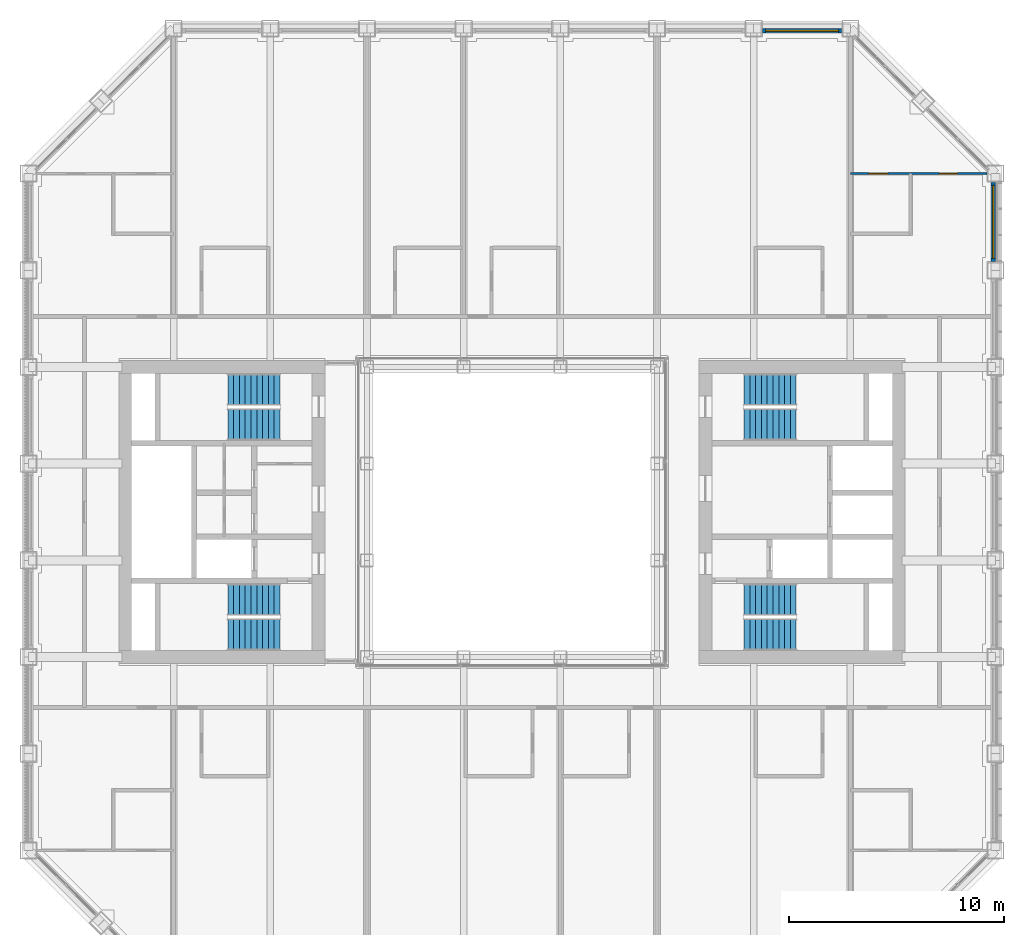
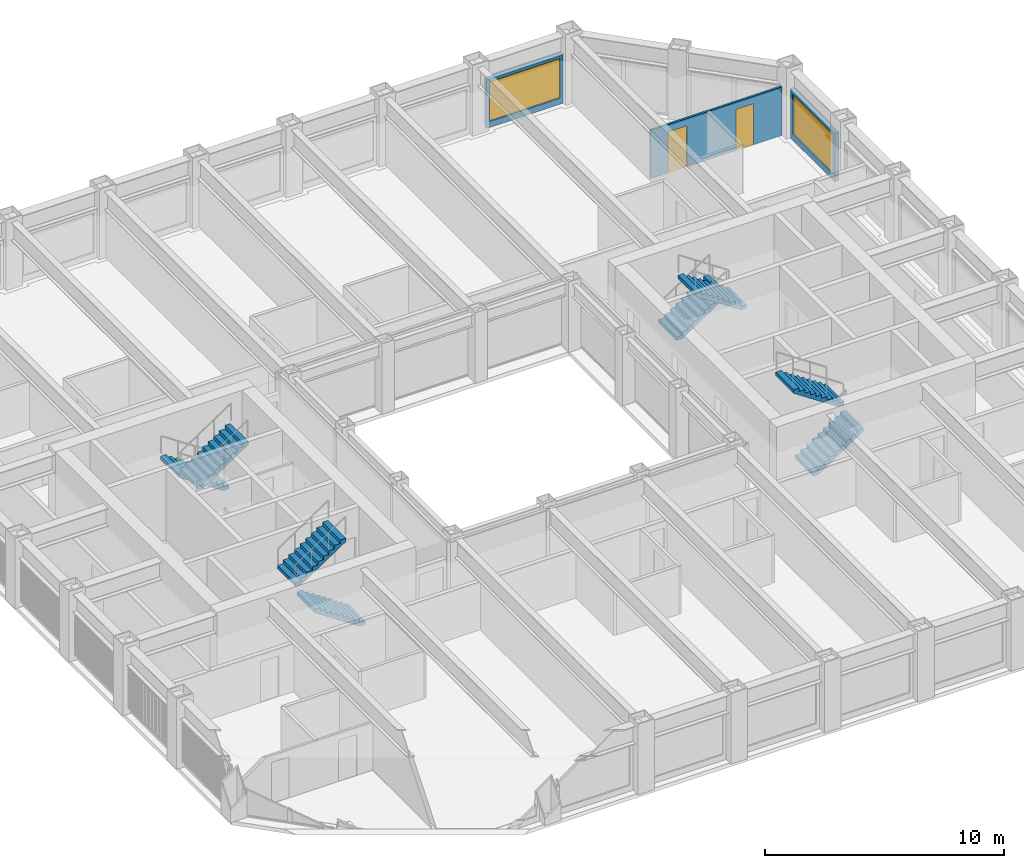
# One storey, part 14 of 17: 8 stair flights, 3 walls, 2 doors, 2 windows, 4 openings, 4 elements without a shape of their own.
"""IFC4 building model written with IfcOpenShell, lengths in metres."""

from ifc_helpers import new_model, si_unit, direction, frame, frame_2d, origin, place, context, subcontext, project, spatial, polyline, rectangle, outline, extrude, material, layer, layer_set, type_object, element, fill, aggregate, save


model = new_model("IFC4")

# Units and contexts
model_context = context("Model", 3, precision=1e-05, world=origin(), true_north=direction((0.0, 1.0)))
body_context = subcontext(model_context, "Body", "Model", "MODEL_VIEW")
ifc_project = project(units=[si_unit("LENGTHUNIT", "METRE"), si_unit("AREAUNIT", "SQUARE_METRE"), si_unit("VOLUMEUNIT", "CUBIC_METRE"), si_unit("PLANEANGLEUNIT", "RADIAN"), si_unit("MASSUNIT", "GRAM", prefix="KILO")], contexts=[model_context])

# Site, building, storey
site_placement = place(None, origin())
site = spatial("IfcSite", under=ifc_project, at=site_placement, CompositionType="ELEMENT")
building_placement = place(site_placement, origin())
building = spatial("IfcBuilding", under=site, at=building_placement, Name="Msasa Ring Tower", CompositionType="ELEMENT")
storey_placement = place(building_placement, frame((0.0, 0.0, 161.60009765625)))
storey = spatial("IfcBuildingStorey", under=building, at=storey_placement, Name="L42", CompositionType="ELEMENT", Elevation=161.60009765625)

# Wall, opening, window
ifc_material_1 = material(Name="Terracotta rainscreen on blockwork", Category="masonry")
ifc_layer_1 = layer(ifc_material_1, 0.199951171875)
ifc_layer_set_1 = layer_set([ifc_layer_1], Name="FW1 TERRACOTTA-LINED INFILL BAY WALL 200")
wall_type_1 = type_object("IfcWallType", Name="FW1 TERRACOTTA-LINED INFILL BAY WALL 200", PredefinedType="SOLIDWALL", material=ifc_layer_set_1)
wall_1_placement = place(storey_placement, frame((22.39990234375, 11.655029296875, 0.0), z_axis=(0.0, 0.0, 1.0), x_axis=(0.0, 1.0, 0.0)))
wall_1 = element("IfcWall", 1, at=wall_1_placement, inside=storey, type_object=wall_type_1, Name="Infill bay wall E L42 15", PredefinedType="SOLIDWALL", context=body_context, shape_type="SweptSolid", body=[
    extrude(rectangle(XDim=3.68994140625, YDim=0.199951171875, at=frame_2d((1.844970703125, 0.0))), origin(), (0.0, 0.0, 1.0), 2.47900390625),
])
opening_1_placement = place(wall_1_placement, frame((0.14501953125, 0.0, 0.300048828125)))
opening_1 = element("IfcOpeningElement", 2, at=opening_1_placement, cuts=wall_1, Name="Opening WN2", PredefinedType="OPENING", context=body_context, shape_type="SweptSolid", body=[
    extrude(rectangle(XDim=3.39990234375, YDim=2.029052734375, at=frame_2d((1.699951171875, 1.0146484375))), frame((0.0, 0.10986328125, 0.0), z_axis=(0.0, -1.0, 0.0), x_axis=(1.0, 0.0, 0.0)), (0.0, 0.0, 1.0), 0.219970703125),
])
ifc_material_2 = material(Name="Aluminium frame with clear glass", Category="aluminium")
window_type = type_object("IfcWindowType", Name="WN2 GUEST ROOM WINDOW 3400x2029", PartitioningType="SINGLE_PANEL", PredefinedType="WINDOW", material=ifc_material_2)
window_1_placement = place(opening_1_placement, origin())
window_1 = element("IfcWindow", 3, at=window_1_placement, inside=storey, type_object=window_type, Name="Window E L42 15", OverallHeight=2.029052734375, OverallWidth=3.39990234375, PartitioningType="SINGLE_PANEL", PredefinedType="WINDOW", context=body_context, shape_type="SweptSolid", body=[
    extrude(rectangle(XDim=3.39990234375, YDim=2.029052734375, at=frame_2d((1.699951171875, 1.0146484375))), frame((0.0, 0.030029296875, 0.0), z_axis=(0.0, -1.0, 0.0), x_axis=(1.0, 0.0, 0.0)), (0.0, 0.0, 1.0), 0.06005859375),
])
fill(opening_1, window_1)

wall_2_placement = place(storey_placement, frame((11.655029296875, 22.39990234375, 0.0), z_axis=(0.0, 0.0, 1.0), x_axis=(1.0, 0.0, 0.0)))
wall_2 = element("IfcWall", 4, at=wall_2_placement, inside=storey, type_object=wall_type_1, Name="Infill bay wall N L42 24", PredefinedType="SOLIDWALL", context=body_context, shape_type="SweptSolid", body=[
    extrude(rectangle(XDim=3.68994140625, YDim=0.199951171875, at=frame_2d((1.844970703125, 0.0))), origin(), (0.0, 0.0, 1.0), 2.47900390625),
])
opening_2_placement = place(wall_2_placement, frame((0.14501953125, 0.0, 0.300048828125)))
opening_2 = element("IfcOpeningElement", 5, at=opening_2_placement, cuts=wall_2, Name="Opening WN2", PredefinedType="OPENING", context=body_context, shape_type="SweptSolid", body=[
    extrude(rectangle(XDim=3.39990234375, YDim=2.029052734375, at=frame_2d((1.699951171875, 1.0146484375))), frame((0.0, 0.10986328125, 0.0), z_axis=(0.0, -1.0, 0.0), x_axis=(1.0, 0.0, 0.0)), (0.0, 0.0, 1.0), 0.219970703125),
])
window_2_placement = place(opening_2_placement, origin())
window_2 = element("IfcWindow", 6, at=window_2_placement, inside=storey, type_object=window_type, Name="Window N L42 24", OverallHeight=2.029052734375, OverallWidth=3.39990234375, PartitioningType="SINGLE_PANEL", PredefinedType="WINDOW", context=body_context, shape_type="SweptSolid", body=[
    extrude(rectangle(XDim=3.39990234375, YDim=2.029052734375, at=frame_2d((1.699951171875, 1.0146484375))), frame((0.0, 0.030029296875, 0.0), z_axis=(0.0, -1.0, 0.0), x_axis=(1.0, 0.0, 0.0)), (0.0, 0.0, 1.0), 0.06005859375),
])
fill(opening_2, window_2)

# Wall, openings, doors
ifc_material_3 = material(Name="Gypsum board on steel studs", Category="steel")
ifc_layer_2 = layer(ifc_material_3, 0.10009765625)
ifc_layer_set_2 = layer_set([ifc_layer_2], Name="PT2 STUD PARTITION 100")
wall_type_2 = type_object("IfcWallType", Name="PT2 STUD PARTITION 100", PredefinedType="PARTITIONING", material=ifc_layer_set_2)
wall_3_placement = place(storey_placement, frame((15.75, 15.75, 0.0), z_axis=(0.0, 0.0, 1.0), x_axis=(1.0, 0.0, 0.0)))
wall_3 = element("IfcWall", 7, at=wall_3_placement, inside=storey, type_object=wall_type_2, Name="Partition L42-CSNEX", PredefinedType="PARTITIONING", context=body_context, shape_type="SweptSolid", body=[
    extrude(rectangle(XDim=6.35009765625, YDim=0.10009765625, at=frame_2d((3.175048828125, 0.0))), origin(), (0.0, 0.0, 1.0), 2.473388671875),
])
opening_3_placement = place(wall_3_placement, frame((4.125, 0.0, 0.0)))
opening_3 = element("IfcOpeningElement", 8, at=opening_3_placement, cuts=wall_3, Name="Opening HE-004", PredefinedType="OPENING", context=body_context, shape_type="SweptSolid", body=[
    extrude(rectangle(XDim=0.85009765625, YDim=2.10009765625, at=frame_2d((0.425048828125, 1.050048828125))), frame((0.0, 0.06005859375, 0.0), z_axis=(0.0, -1.0, 0.0), x_axis=(1.0, 0.0, 0.0)), (0.0, 0.0, 1.0), 0.1201171875),
])
opening_4_placement = place(wall_3_placement, frame((0.85009765625, 0.0, 0.0)))
opening_4 = element("IfcOpeningElement", 9, at=opening_4_placement, cuts=wall_3, Name="Opening HE-003", PredefinedType="OPENING", context=body_context, shape_type="SweptSolid", body=[
    extrude(rectangle(XDim=0.89990234375, YDim=2.10009765625, at=frame_2d((0.449951171875, 1.050048828125))), frame((0.0, 0.06005859375, 0.0), z_axis=(0.0, -1.0, 0.0), x_axis=(1.0, 0.0, 0.0)), (0.0, 0.0, 1.0), 0.1201171875),
])
ifc_material_4 = material(Name="Timber door leaf in a steel frame", Category="steel")
door_type_1 = type_object("IfcDoorType", Name="D14 BEDROOM DOOR 850x2100", OperationType="SINGLE_SWING_LEFT", PredefinedType="DOOR", material=ifc_material_4)
door_1_placement = place(opening_3_placement, origin())
door_1 = element("IfcDoor", 10, at=door_1_placement, inside=storey, type_object=door_type_1, Name="Door L42-CSNER1", OperationType="SINGLE_SWING_RIGHT", OverallHeight=2.10009765625, OverallWidth=0.85009765625, PredefinedType="DOOR", context=body_context, shape_type="SweptSolid", body=[
    extrude(rectangle(XDim=0.85009765625, YDim=2.10009765625, at=frame_2d((0.425048828125, 1.050048828125))), frame((0.0, 0.02490234375, 0.0), z_axis=(0.0, -1.0, 0.0), x_axis=(1.0, 0.0, 0.0)), (0.0, 0.0, 1.0), 0.050048828125),
])
fill(opening_3, door_1)
ifc_material_5 = material(Name="Timber door leaf in a steel frame", Category="steel")
door_type_2 = type_object("IfcDoorType", Name="D3 BATHROOM DOOR 900x2100", OperationType="SINGLE_SWING_LEFT", PredefinedType="DOOR", material=ifc_material_5)
door_2_placement = place(opening_4_placement, origin())
door_2 = element("IfcDoor", 11, at=door_2_placement, inside=storey, type_object=door_type_2, Name="Door L42-CSNEB1", OperationType="SINGLE_SWING_LEFT", OverallHeight=2.10009765625, OverallWidth=0.89990234375, PredefinedType="DOOR", context=body_context, shape_type="SweptSolid", body=[
    extrude(rectangle(XDim=0.89990234375, YDim=2.10009765625, at=frame_2d((0.449951171875, 1.050048828125))), frame((0.0, 0.02490234375, 0.0), z_axis=(0.0, -1.0, 0.0), x_axis=(1.0, 0.0, 0.0)), (0.0, 0.0, 1.0), 0.050048828125),
])
fill(opening_4, door_2)

# Stair, stair flights
ifc_material_6 = material(Name="Concrete C40/50", Category="concrete")
stair_type = type_object("IfcStairType", Name="STC CORE STAIR 20 RISERS 180", PredefinedType="HALF_TURN_STAIR", material=ifc_material_6)
stair_1_placement = place(storey_placement, origin())
stair_1 = element("IfcStair", 12, at=stair_1_placement, inside=storey, type_object=stair_type, Name="Core stair SEA L42", PredefinedType="HALF_TURN_STAIR")
ifc_material_7 = material(Name="Concrete C40/50", Category="concrete")
stair_flight_type = type_object("IfcStairFlightType", Name="ST14 CORE STAIR FLIGHT 1500 10 RISERS 180", PredefinedType="STRAIGHT", material=ifc_material_7)
stair_flight_1_placement = place(storey_placement, frame((10.800048828125, -5.699951171875, 0.0), z_axis=(0.0, 0.0, 1.0), x_axis=(1.0, 0.0, 0.0)))
stair_flight_1 = element("IfcStairFlight", 13, at=stair_flight_1_placement, type_object=stair_flight_type, Name="SEA flight 1", NumberOfRisers=10, NumberOfTreads=9, PredefinedType="STRAIGHT", RiserHeight=0.18, TreadLength=0.27, context=body_context, shape_type="SweptSolid", body=[
    extrude(outline(polyline([(0.0, 0.0), (0.0, 0.179931640625), (0.27001953125, 0.179931640625), (0.27001953125, 0.360107421875), (0.5400390625, 0.360107421875), (0.5400390625, 0.5400390625), (0.81005859375, 0.5400390625), (0.81005859375, 0.719970703125), (1.080078125, 0.719970703125), (1.080078125, 0.89990234375), (1.35009765625, 0.89990234375), (1.35009765625, 1.080078125), (1.6201171875, 1.080078125), (1.6201171875, 1.260009765625), (1.889892578125, 1.260009765625), (1.889892578125, 1.43994140625), (2.159912109375, 1.43994140625), (2.159912109375, 1.6201171875), (2.429931640625, 1.6201171875), (2.429931640625, 1.800048828125), (2.429931640625, 1.43994140625), (0.270263671875, 0.0), (0.0, 0.0)])), frame((0.0, 0.75, 0.0), z_axis=(0.0, -1.0, 0.0), x_axis=(1.0, 0.0, 0.0)), (0.0, 0.0, 1.0), 1.5),
])
stair_flight_2_placement = place(storey_placement, frame((13.22998046875, -4.074951171875, 1.7998046875), z_axis=(0.0, 0.0, 1.0), x_axis=(-1.0, 0.0, 0.0)))
stair_flight_2 = element("IfcStairFlight", 14, at=stair_flight_2_placement, type_object=stair_flight_type, Name="SEA flight 2", NumberOfRisers=10, NumberOfTreads=9, PredefinedType="STRAIGHT", RiserHeight=0.18, TreadLength=0.27, context=body_context, shape_type="SweptSolid", body=[
    extrude(outline(polyline([(0.0, 0.0), (0.0, 0.179931640625), (0.27001953125, 0.179931640625), (0.27001953125, 0.360107421875), (0.5400390625, 0.360107421875), (0.5400390625, 0.5400390625), (0.81005859375, 0.5400390625), (0.81005859375, 0.719970703125), (1.080078125, 0.719970703125), (1.080078125, 0.89990234375), (1.35009765625, 0.89990234375), (1.35009765625, 1.080078125), (1.6201171875, 1.080078125), (1.6201171875, 1.260009765625), (1.889892578125, 1.260009765625), (1.889892578125, 1.43994140625), (2.159912109375, 1.43994140625), (2.159912109375, 1.6201171875), (2.429931640625, 1.6201171875), (2.429931640625, 1.800048828125), (2.429931640625, 1.43994140625), (0.270263671875, 0.0), (0.0, 0.0)])), frame((0.0, 0.75, 0.0), z_axis=(0.0, -1.0, 0.0), x_axis=(1.0, 0.0, 0.0)), (0.0, 0.0, 1.0), 1.5),
])
aggregate(stair_1, [stair_flight_1, stair_flight_2])

stair_2_placement = place(storey_placement, origin())
stair_2 = element("IfcStair", 15, at=stair_2_placement, inside=storey, type_object=stair_type, Name="Core stair SEB L42", PredefinedType="HALF_TURN_STAIR")
stair_flight_3_placement = place(storey_placement, frame((10.800048828125, 5.699951171875, 0.0), z_axis=(0.0, 0.0, 1.0), x_axis=(1.0, 0.0, 0.0)))
stair_flight_3 = element("IfcStairFlight", 16, at=stair_flight_3_placement, type_object=stair_flight_type, Name="SEB flight 1", NumberOfRisers=10, NumberOfTreads=9, PredefinedType="STRAIGHT", RiserHeight=0.18, TreadLength=0.27, context=body_context, shape_type="SweptSolid", body=[
    extrude(outline(polyline([(0.0, 0.0), (0.0, 0.179931640625), (0.27001953125, 0.179931640625), (0.27001953125, 0.360107421875), (0.5400390625, 0.360107421875), (0.5400390625, 0.5400390625), (0.81005859375, 0.5400390625), (0.81005859375, 0.719970703125), (1.080078125, 0.719970703125), (1.080078125, 0.89990234375), (1.35009765625, 0.89990234375), (1.35009765625, 1.080078125), (1.6201171875, 1.080078125), (1.6201171875, 1.260009765625), (1.889892578125, 1.260009765625), (1.889892578125, 1.43994140625), (2.159912109375, 1.43994140625), (2.159912109375, 1.6201171875), (2.429931640625, 1.6201171875), (2.429931640625, 1.800048828125), (2.429931640625, 1.43994140625), (0.270263671875, 0.0), (0.0, 0.0)])), frame((0.0, 0.75, 0.0), z_axis=(0.0, -1.0, 0.0), x_axis=(1.0, 0.0, 0.0)), (0.0, 0.0, 1.0), 1.5),
])
stair_flight_4_placement = place(storey_placement, frame((13.22998046875, 4.074951171875, 1.7998046875), z_axis=(0.0, 0.0, 1.0), x_axis=(-1.0, 0.0, 0.0)))
stair_flight_4 = element("IfcStairFlight", 17, at=stair_flight_4_placement, type_object=stair_flight_type, Name="SEB flight 2", NumberOfRisers=10, NumberOfTreads=9, PredefinedType="STRAIGHT", RiserHeight=0.18, TreadLength=0.27, context=body_context, shape_type="SweptSolid", body=[
    extrude(outline(polyline([(0.0, 0.0), (0.0, 0.179931640625), (0.27001953125, 0.179931640625), (0.27001953125, 0.360107421875), (0.5400390625, 0.360107421875), (0.5400390625, 0.5400390625), (0.81005859375, 0.5400390625), (0.81005859375, 0.719970703125), (1.080078125, 0.719970703125), (1.080078125, 0.89990234375), (1.35009765625, 0.89990234375), (1.35009765625, 1.080078125), (1.6201171875, 1.080078125), (1.6201171875, 1.260009765625), (1.889892578125, 1.260009765625), (1.889892578125, 1.43994140625), (2.159912109375, 1.43994140625), (2.159912109375, 1.6201171875), (2.429931640625, 1.6201171875), (2.429931640625, 1.800048828125), (2.429931640625, 1.43994140625), (0.270263671875, 0.0), (0.0, 0.0)])), frame((0.0, 0.75, 0.0), z_axis=(0.0, -1.0, 0.0), x_axis=(1.0, 0.0, 0.0)), (0.0, 0.0, 1.0), 1.5),
])
aggregate(stair_2, [stair_flight_3, stair_flight_4])

stair_3_placement = place(storey_placement, origin())
stair_3 = element("IfcStair", 18, at=stair_3_placement, inside=storey, type_object=stair_type, Name="Core stair SWA L42", PredefinedType="HALF_TURN_STAIR")
stair_flight_5_placement = place(storey_placement, frame((-10.800048828125, -5.699951171875, 0.0), z_axis=(0.0, 0.0, 1.0), x_axis=(-1.0, 0.0, 0.0)))
stair_flight_5 = element("IfcStairFlight", 19, at=stair_flight_5_placement, type_object=stair_flight_type, Name="SWA flight 1", NumberOfRisers=10, NumberOfTreads=9, PredefinedType="STRAIGHT", RiserHeight=0.18, TreadLength=0.27, context=body_context, shape_type="SweptSolid", body=[
    extrude(outline(polyline([(0.0, 0.0), (0.0, 0.179931640625), (0.27001953125, 0.179931640625), (0.27001953125, 0.360107421875), (0.5400390625, 0.360107421875), (0.5400390625, 0.5400390625), (0.81005859375, 0.5400390625), (0.81005859375, 0.719970703125), (1.080078125, 0.719970703125), (1.080078125, 0.89990234375), (1.35009765625, 0.89990234375), (1.35009765625, 1.080078125), (1.6201171875, 1.080078125), (1.6201171875, 1.260009765625), (1.889892578125, 1.260009765625), (1.889892578125, 1.43994140625), (2.159912109375, 1.43994140625), (2.159912109375, 1.6201171875), (2.429931640625, 1.6201171875), (2.429931640625, 1.800048828125), (2.429931640625, 1.43994140625), (0.270263671875, 0.0), (0.0, 0.0)])), frame((0.0, 0.75, 0.0), z_axis=(0.0, -1.0, 0.0), x_axis=(1.0, 0.0, 0.0)), (0.0, 0.0, 1.0), 1.5),
])
stair_flight_6_placement = place(storey_placement, frame((-13.22998046875, -4.074951171875, 1.7998046875), z_axis=(0.0, 0.0, 1.0), x_axis=(1.0, 0.0, 0.0)))
stair_flight_6 = element("IfcStairFlight", 20, at=stair_flight_6_placement, type_object=stair_flight_type, Name="SWA flight 2", NumberOfRisers=10, NumberOfTreads=9, PredefinedType="STRAIGHT", RiserHeight=0.18, TreadLength=0.27, context=body_context, shape_type="SweptSolid", body=[
    extrude(outline(polyline([(0.0, 0.0), (0.0, 0.179931640625), (0.27001953125, 0.179931640625), (0.27001953125, 0.360107421875), (0.5400390625, 0.360107421875), (0.5400390625, 0.5400390625), (0.81005859375, 0.5400390625), (0.81005859375, 0.719970703125), (1.080078125, 0.719970703125), (1.080078125, 0.89990234375), (1.35009765625, 0.89990234375), (1.35009765625, 1.080078125), (1.6201171875, 1.080078125), (1.6201171875, 1.260009765625), (1.889892578125, 1.260009765625), (1.889892578125, 1.43994140625), (2.159912109375, 1.43994140625), (2.159912109375, 1.6201171875), (2.429931640625, 1.6201171875), (2.429931640625, 1.800048828125), (2.429931640625, 1.43994140625), (0.270263671875, 0.0), (0.0, 0.0)])), frame((0.0, 0.75, 0.0), z_axis=(0.0, -1.0, 0.0), x_axis=(1.0, 0.0, 0.0)), (0.0, 0.0, 1.0), 1.5),
])
aggregate(stair_3, [stair_flight_5, stair_flight_6])

stair_4_placement = place(storey_placement, origin())
stair_4 = element("IfcStair", 21, at=stair_4_placement, inside=storey, type_object=stair_type, Name="Core stair SWB L42", PredefinedType="HALF_TURN_STAIR")
stair_flight_7_placement = place(storey_placement, frame((-10.800048828125, 5.699951171875, 0.0), z_axis=(0.0, 0.0, 1.0), x_axis=(-1.0, 0.0, 0.0)))
stair_flight_7 = element("IfcStairFlight", 22, at=stair_flight_7_placement, type_object=stair_flight_type, Name="SWB flight 1", NumberOfRisers=10, NumberOfTreads=9, PredefinedType="STRAIGHT", RiserHeight=0.18, TreadLength=0.27, context=body_context, shape_type="SweptSolid", body=[
    extrude(outline(polyline([(0.0, 0.0), (0.0, 0.179931640625), (0.27001953125, 0.179931640625), (0.27001953125, 0.360107421875), (0.5400390625, 0.360107421875), (0.5400390625, 0.5400390625), (0.81005859375, 0.5400390625), (0.81005859375, 0.719970703125), (1.080078125, 0.719970703125), (1.080078125, 0.89990234375), (1.35009765625, 0.89990234375), (1.35009765625, 1.080078125), (1.6201171875, 1.080078125), (1.6201171875, 1.260009765625), (1.889892578125, 1.260009765625), (1.889892578125, 1.43994140625), (2.159912109375, 1.43994140625), (2.159912109375, 1.6201171875), (2.429931640625, 1.6201171875), (2.429931640625, 1.800048828125), (2.429931640625, 1.43994140625), (0.270263671875, 0.0), (0.0, 0.0)])), frame((0.0, 0.75, 0.0), z_axis=(0.0, -1.0, 0.0), x_axis=(1.0, 0.0, 0.0)), (0.0, 0.0, 1.0), 1.5),
])
stair_flight_8_placement = place(storey_placement, frame((-13.22998046875, 4.074951171875, 1.7998046875), z_axis=(0.0, 0.0, 1.0), x_axis=(1.0, 0.0, 0.0)))
stair_flight_8 = element("IfcStairFlight", 23, at=stair_flight_8_placement, type_object=stair_flight_type, Name="SWB flight 2", NumberOfRisers=10, NumberOfTreads=9, PredefinedType="STRAIGHT", RiserHeight=0.18, TreadLength=0.27, context=body_context, shape_type="SweptSolid", body=[
    extrude(outline(polyline([(0.0, 0.0), (0.0, 0.179931640625), (0.27001953125, 0.179931640625), (0.27001953125, 0.360107421875), (0.5400390625, 0.360107421875), (0.5400390625, 0.5400390625), (0.81005859375, 0.5400390625), (0.81005859375, 0.719970703125), (1.080078125, 0.719970703125), (1.080078125, 0.89990234375), (1.35009765625, 0.89990234375), (1.35009765625, 1.080078125), (1.6201171875, 1.080078125), (1.6201171875, 1.260009765625), (1.889892578125, 1.260009765625), (1.889892578125, 1.43994140625), (2.159912109375, 1.43994140625), (2.159912109375, 1.6201171875), (2.429931640625, 1.6201171875), (2.429931640625, 1.800048828125), (2.429931640625, 1.43994140625), (0.270263671875, 0.0), (0.0, 0.0)])), frame((0.0, 0.75, 0.0), z_axis=(0.0, -1.0, 0.0), x_axis=(1.0, 0.0, 0.0)), (0.0, 0.0, 1.0), 1.5),
])
aggregate(stair_4, [stair_flight_7, stair_flight_8])

save(model, "model.ifc")
